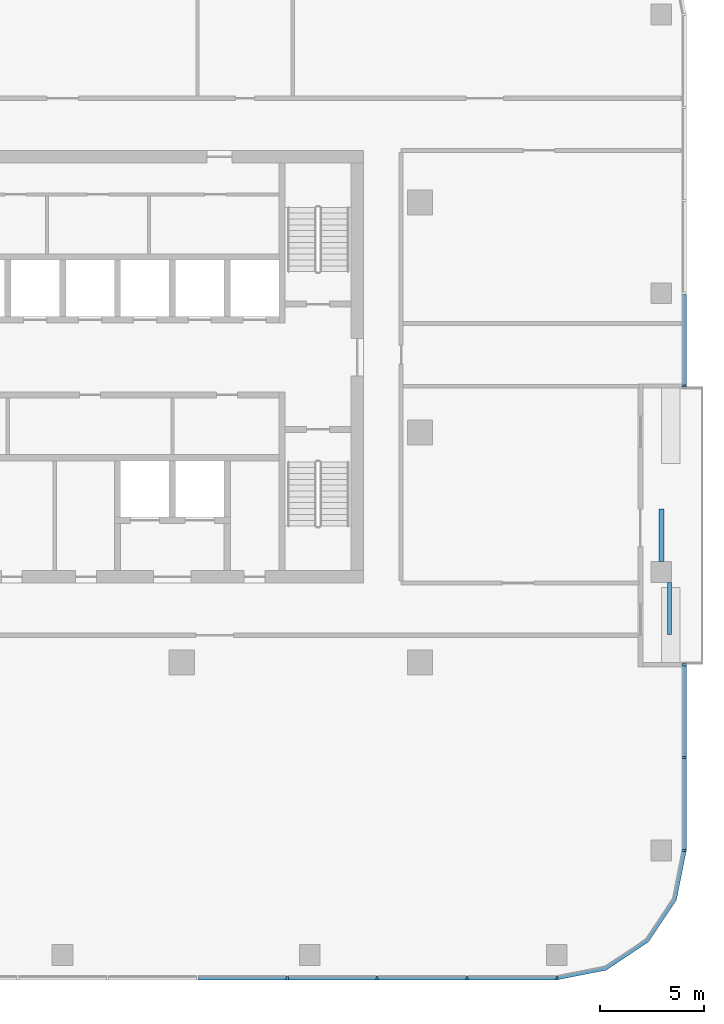
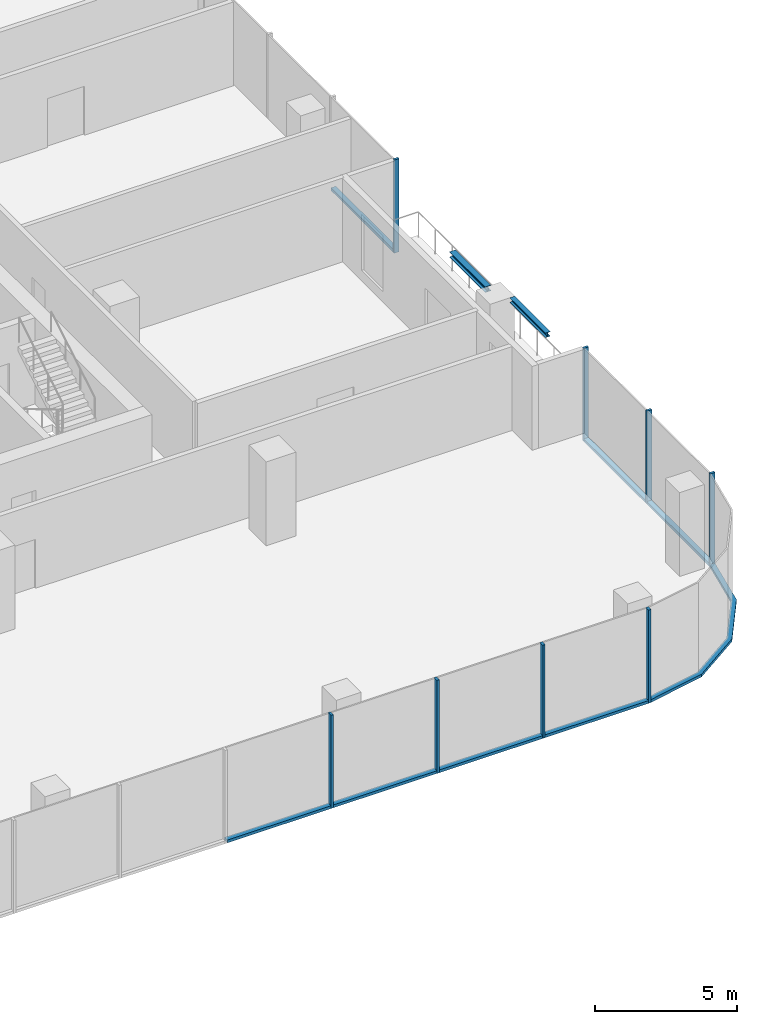
# One storey, part 3 of 13: 16 members, 2 beams, 4 elements without a shape of their own.
"""IFC4 building model written with IfcOpenShell, lengths in metres."""

from ifc_helpers import new_model, si_unit, direction, frame, origin, origin_2d, place, context, subcontext, project, spatial, polyline, rectangle, i_section, outline, extrude, material, material_profile, profile_set, type_object, element, aggregate, save


model = new_model("IFC4")

# Units and contexts
model_context = context("Model", 3, precision=1e-05, world=origin(), true_north=direction((0.0, 1.0)))
body_context = subcontext(model_context, "Body", "Model", "MODEL_VIEW")
ifc_project = project(units=[si_unit("LENGTHUNIT", "METRE"), si_unit("AREAUNIT", "SQUARE_METRE"), si_unit("VOLUMEUNIT", "CUBIC_METRE"), si_unit("PLANEANGLEUNIT", "RADIAN"), si_unit("MASSUNIT", "GRAM", prefix="KILO")], contexts=[model_context])

# Site, building, storey
site_placement = place(None, origin())
site = spatial("IfcSite", under=ifc_project, at=site_placement, CompositionType="ELEMENT")
building_placement = place(site_placement, origin())
building = spatial("IfcBuilding", under=site, at=building_placement, Name="Mopane Tessera Tower", CompositionType="ELEMENT")
storey_placement = place(building_placement, frame((0.0, 0.0, 283.39990234375)))
storey = spatial("IfcBuildingStorey", under=building, at=storey_placement, Name="L61", CompositionType="ELEMENT", Elevation=283.39990234375)

# Curtain wall, members
ifc_material_1 = material(Name="Aluminium frame", Category="aluminium")
curtain_wall_type = type_object("IfcCurtainWallType", Name="Unitised curtain wall", PredefinedType="NOTDEFINED", material=ifc_material_1)
curtain_wall_1_placement = place(storey_placement, origin())
curtain_wall_1 = element("IfcCurtainWall", 1, at=curtain_wall_1_placement, inside=storey, type_object=curtain_wall_type, Name="e:cw:L61:S:0", PredefinedType="NOTDEFINED")
ifc_material_2 = material(Name="Aluminium frame", Category="aluminium")
ifc_material_profile_1 = material_profile(ifc_material_2, rectangle(XDim=0.10009765625, YDim=0.199951171875, at=origin_2d()))
ifc_profile_set_1 = profile_set([ifc_material_profile_1], Name="Aluminium frame")
member_type_1 = type_object("IfcMemberType", Name="Aluminium mullion 100 x 200", PredefinedType="MULLION", material=ifc_profile_set_1)
member_1_placement = place(storey_placement, frame((10.75, -26.10009765625, -0.39990234375), z_axis=(0.0, 0.0, 1.0), x_axis=(1.0, 0.0, 0.0)))
member_1 = element("IfcMember", 2, at=member_1_placement, type_object=member_type_1, Name="e:cw:L61:S:0:mu8", PredefinedType="MULLION", context=body_context, shape_type="SweptSolid", body=[
    extrude(rectangle(XDim=0.10009765625, YDim=0.199951171875, at=origin_2d()), origin(), (0.0, 0.0, 1.0), 4.0),
])
member_2_placement = place(storey_placement, frame((15.050048828125, -26.10009765625, -0.39990234375), z_axis=(0.0, 0.0, 1.0), x_axis=(1.0, 0.0, 0.0)))
member_2 = element("IfcMember", 3, at=member_2_placement, type_object=member_type_1, Name="e:cw:L61:S:0:mu9", PredefinedType="MULLION", context=body_context, shape_type="SweptSolid", body=[
    extrude(rectangle(XDim=0.10009765625, YDim=0.199951171875, at=origin_2d()), origin(), (0.0, 0.0, 1.0), 4.0),
])
member_3_placement = place(storey_placement, frame((19.35009765625, -26.10009765625, -0.39990234375), z_axis=(0.0, 0.0, 1.0), x_axis=(1.0, 0.0, 0.0)))
member_3 = element("IfcMember", 4, at=member_3_placement, type_object=member_type_1, Name="e:cw:L61:S:0:mu10", PredefinedType="MULLION", context=body_context, shape_type="SweptSolid", body=[
    extrude(rectangle(XDim=0.10009765625, YDim=0.199951171875, at=origin_2d()), origin(), (0.0, 0.0, 1.0), 4.0),
])
member_4_placement = place(storey_placement, frame((23.64990234375, -26.10009765625, -0.39990234375), z_axis=(0.0, 0.0, 1.0), x_axis=(1.0, 0.0, 0.0)))
member_4 = element("IfcMember", 5, at=member_4_placement, type_object=member_type_1, Name="e:cw:L61:S:0:mu11", PredefinedType="MULLION", context=body_context, shape_type="SweptSolid", body=[
    extrude(rectangle(XDim=0.10009765625, YDim=0.199951171875, at=origin_2d()), origin(), (0.0, 0.0, 1.0), 4.0),
])

curtain_wall_2_placement = place(storey_placement, origin())
curtain_wall_2 = element("IfcCurtainWall", 6, at=curtain_wall_2_placement, inside=storey, type_object=curtain_wall_type, Name="e:cw:L61:E:0", PredefinedType="NOTDEFINED")
member_5_placement = place(storey_placement, frame((29.75, -20.0, -0.39990234375), z_axis=(0.0, 0.0, 1.0), x_axis=(0.0, 1.0, 0.0)))
member_5 = element("IfcMember", 7, at=member_5_placement, type_object=member_type_1, Name="e:cw:L61:E:0:mu0", PredefinedType="MULLION", context=body_context, shape_type="SweptSolid", body=[
    extrude(rectangle(XDim=0.10009765625, YDim=0.199951171875, at=origin_2d()), origin(), (0.0, 0.0, 1.0), 4.0),
])
member_6_placement = place(storey_placement, frame((29.75, -15.5556640625, -0.39990234375), z_axis=(0.0, 0.0, 1.0), x_axis=(0.0, 1.0, 0.0)))
member_6 = element("IfcMember", 8, at=member_6_placement, type_object=member_type_1, Name="e:cw:L61:E:0:mu1", PredefinedType="MULLION", context=body_context, shape_type="SweptSolid", body=[
    extrude(rectangle(XDim=0.10009765625, YDim=0.199951171875, at=origin_2d()), origin(), (0.0, 0.0, 1.0), 4.0),
])
member_7_placement = place(storey_placement, frame((29.75, -11.111083984375, -0.39990234375), z_axis=(0.0, 0.0, 1.0), x_axis=(0.0, 1.0, 0.0)))
member_7 = element("IfcMember", 9, at=member_7_placement, type_object=member_type_1, Name="e:cw:L61:E:0:mu2", PredefinedType="MULLION", context=body_context, shape_type="SweptSolid", body=[
    extrude(rectangle(XDim=0.10009765625, YDim=0.199951171875, at=origin_2d()), origin(), (0.0, 0.0, 1.0), 4.0),
])

# Curtain wall, member
curtain_wall_3_placement = place(storey_placement, origin())
curtain_wall_3 = element("IfcCurtainWall", 10, at=curtain_wall_3_placement, inside=storey, type_object=curtain_wall_type, Name="e:cw:L61:E:5", PredefinedType="NOTDEFINED")
member_8_placement = place(storey_placement, frame((29.75, 2.22216796875, -0.39990234375), z_axis=(0.0, 0.0, 1.0), x_axis=(0.0, 1.0, 0.0)))
member_8 = element("IfcMember", 11, at=member_8_placement, type_object=member_type_1, Name="e:cw:L61:E:5:mu5", PredefinedType="MULLION", context=body_context, shape_type="SweptSolid", body=[
    extrude(rectangle(XDim=0.10009765625, YDim=0.199951171875, at=origin_2d()), origin(), (0.0, 0.0, 1.0), 4.0),
])

# Member
ifc_material_3 = material(Name="Aluminium frame", Category="aluminium")
ifc_material_profile_2 = material_profile(ifc_material_3, rectangle(XDim=0.199951171875, YDim=0.1201171875, at=origin_2d()))
ifc_profile_set_2 = profile_set([ifc_material_profile_2], Name="Aluminium frame")
member_type_2 = type_object("IfcMemberType", Name="Aluminium transom 200 x 120", PredefinedType="USERDEFINED", material=ifc_profile_set_2)
member_9_placement = place(storey_placement, frame((6.5, -26.10009765625, -0.33984375), z_axis=(1.0, 0.0, 0.0), x_axis=(0.0, 1.0, 0.0)))
member_9 = element("IfcMember", 12, at=member_9_placement, type_object=member_type_2, Name="e:cw:L61:S:0:tr7", ObjectType="TRANSOM", PredefinedType="USERDEFINED", context=body_context, shape_type="SweptSolid", body=[
    extrude(rectangle(XDim=0.199951171875, YDim=0.1201171875, at=origin_2d()), origin(), (0.0, 0.0, 1.0), 4.199951171875),
])

member_10_placement = place(storey_placement, frame((10.800048828125, -26.10009765625, -0.33984375), z_axis=(1.0, 0.0, 0.0), x_axis=(0.0, 1.0, 0.0)))
member_10 = element("IfcMember", 13, at=member_10_placement, type_object=member_type_2, Name="e:cw:L61:S:0:tr8", ObjectType="TRANSOM", PredefinedType="USERDEFINED", context=body_context, shape_type="SweptSolid", body=[
    extrude(rectangle(XDim=0.199951171875, YDim=0.1201171875, at=origin_2d()), origin(), (0.0, 0.0, 1.0), 4.199951171875),
])

member_11_placement = place(storey_placement, frame((15.10009765625, -26.10009765625, -0.33984375), z_axis=(1.0, 0.0, 0.0), x_axis=(0.0, 1.0, 0.0)))
member_11 = element("IfcMember", 14, at=member_11_placement, type_object=member_type_2, Name="e:cw:L61:S:0:tr9", ObjectType="TRANSOM", PredefinedType="USERDEFINED", context=body_context, shape_type="SweptSolid", body=[
    extrude(rectangle(XDim=0.199951171875, YDim=0.1201171875, at=origin_2d()), origin(), (0.0, 0.0, 1.0), 4.199951171875),
])

member_12_placement = place(storey_placement, frame((19.39990234375, -26.10009765625, -0.33984375), z_axis=(1.0, 0.0, 0.0), x_axis=(0.0, 1.0, 0.0)))
member_12 = element("IfcMember", 15, at=member_12_placement, type_object=member_type_2, Name="e:cw:L61:S:0:tr10", ObjectType="TRANSOM", PredefinedType="USERDEFINED", context=body_context, shape_type="SweptSolid", body=[
    extrude(rectangle(XDim=0.199951171875, YDim=0.1201171875, at=origin_2d()), origin(), (0.0, 0.0, 1.0), 4.2001953125),
])

aggregate(curtain_wall_1, [member_1, member_2, member_3, member_4, member_9, member_10, member_11, member_12])

# Curtain wall, member
curtain_wall_4_placement = place(storey_placement, origin())
curtain_wall_4 = element("IfcCurtainWall", 16, at=curtain_wall_4_placement, inside=storey, type_object=curtain_wall_type, Name="e:cw:L61:CS", PredefinedType="NOTDEFINED")
member_13_placement = place(storey_placement, frame((0.0, 0.0, -0.39990234375)))
member_13 = element("IfcMember", 17, at=member_13_placement, type_object=member_type_2, Name="e:cw:L61:CS:tr", ObjectType="TRANSOM", PredefinedType="USERDEFINED", context=body_context, shape_type="SweptSolid", body=[
    extrude(outline(polyline([(23.64990234375, -26.0), (25.946044921875, -25.543212890625), (27.892578125, -24.24267578125), (29.193359375, -22.296142578125), (29.64990234375, -20.0), (29.85009765625, -20.0), (29.378173828125, -22.37255859375), (28.0341796875, -24.384033203125), (26.022705078125, -25.72802734375), (23.64990234375, -26.199951171875), (23.64990234375, -26.0)])), origin(), (0.0, 0.0, 1.0), 0.1201171875),
])
aggregate(curtain_wall_4, [member_13])

# Member
member_14_placement = place(storey_placement, frame((29.75, -19.949951171875, -0.33984375), z_axis=(0.0, 1.0, 0.0), x_axis=(-1.0, 0.0, 0.0)))
member_14 = element("IfcMember", 18, at=member_14_placement, type_object=member_type_2, Name="e:cw:L61:E:0:tr0", ObjectType="TRANSOM", PredefinedType="USERDEFINED", context=body_context, shape_type="SweptSolid", body=[
    extrude(rectangle(XDim=0.199951171875, YDim=0.1201171875, at=origin_2d()), origin(), (0.0, 0.0, 1.0), 4.344482421875),
])

member_15_placement = place(storey_placement, frame((29.75, -15.505615234375, -0.33984375), z_axis=(0.0, 1.0, 0.0), x_axis=(-1.0, 0.0, 0.0)))
member_15 = element("IfcMember", 19, at=member_15_placement, type_object=member_type_2, Name="e:cw:L61:E:0:tr1", ObjectType="TRANSOM", PredefinedType="USERDEFINED", context=body_context, shape_type="SweptSolid", body=[
    extrude(rectangle(XDim=0.199951171875, YDim=0.1201171875, at=origin_2d()), origin(), (0.0, 0.0, 1.0), 4.344482421875),
])

aggregate(curtain_wall_2, [member_5, member_6, member_7, member_14, member_15])

member_16_placement = place(storey_placement, frame((29.75, 2.272216796875, -0.33984375), z_axis=(0.0, 1.0, 0.0), x_axis=(-1.0, 0.0, 0.0)))
member_16 = element("IfcMember", 20, at=member_16_placement, type_object=member_type_2, Name="e:cw:L61:E:5:tr5", ObjectType="TRANSOM", PredefinedType="USERDEFINED", context=body_context, shape_type="SweptSolid", body=[
    extrude(rectangle(XDim=0.199951171875, YDim=0.1201171875, at=origin_2d()), origin(), (0.0, 0.0, 1.0), 4.344482421875),
])

aggregate(curtain_wall_3, [member_8, member_16])

# Beams
ifc_material_4 = material(Name="Structural steel S460", Category="steel")
ifc_material_profile_3 = material_profile(ifc_material_4, i_section(OverallWidth=0.239990234375, OverallDepth=0.239990234375, WebThickness=0.010009765625, FlangeThickness=0.01708984375, FilletRadius=0.02099609375, at=origin_2d()))
ifc_profile_set_3 = profile_set([ifc_material_profile_3], Name="Structural steel S460")
beam_type_1 = type_object("IfcBeamType", Name="Terrace spandrel beam HE 240 B", PredefinedType="SPANDREL", material=ifc_profile_set_3)
beam_1_placement = place(storey_placement, frame((28.64990234375, -6.163818359375, 3.47998046875), z_axis=(0.0, 1.0, 0.0), x_axis=(-1.0, 0.0, 0.0)))
element("IfcBeam", 21, at=beam_1_placement, inside=storey, type_object=beam_type_1, Name="Terrace spandrel beam N1 L62", PredefinedType="SPANDREL", context=body_context, shape_type="SweptSolid", body=[
    extrude(i_section(OverallWidth=0.239990234375, OverallDepth=0.239990234375, WebThickness=0.010009765625, FlangeThickness=0.01708984375, FilletRadius=0.02099609375, at=origin_2d()), origin(), (0.0, 0.0, 1.0), 2.5),
])
ifc_material_5 = material(Name="Structural steel S460", Category="steel")
ifc_material_profile_4 = material_profile(ifc_material_5, i_section(OverallWidth=0.199951171875, OverallDepth=0.199951171875, WebThickness=0.009033203125, FlangeThickness=0.014892578125, FilletRadius=0.01806640625, at=origin_2d()))
ifc_profile_set_4 = profile_set([ifc_material_profile_4], Name="Structural steel S460")
beam_type_2 = type_object("IfcBeamType", Name="Terrace trimmer beam HE 200 B", PredefinedType="BEAM", material=ifc_profile_set_4)
beam_2_placement = place(storey_placement, frame((29.0498046875, -7.169677734375, 3.5), z_axis=(0.0, -1.0, 0.0), x_axis=(1.0, 0.0, 0.0)))
element("IfcBeam", 22, at=beam_2_placement, inside=storey, type_object=beam_type_2, Name="Terrace trimmer beam N1 L62", PredefinedType="BEAM", context=body_context, shape_type="SweptSolid", body=[
    extrude(i_section(OverallWidth=0.199951171875, OverallDepth=0.199951171875, WebThickness=0.009033203125, FlangeThickness=0.014892578125, FilletRadius=0.01806640625, at=origin_2d()), origin(), (0.0, 0.0, 1.0), 2.5),
])

save(model, "model.ifc")
